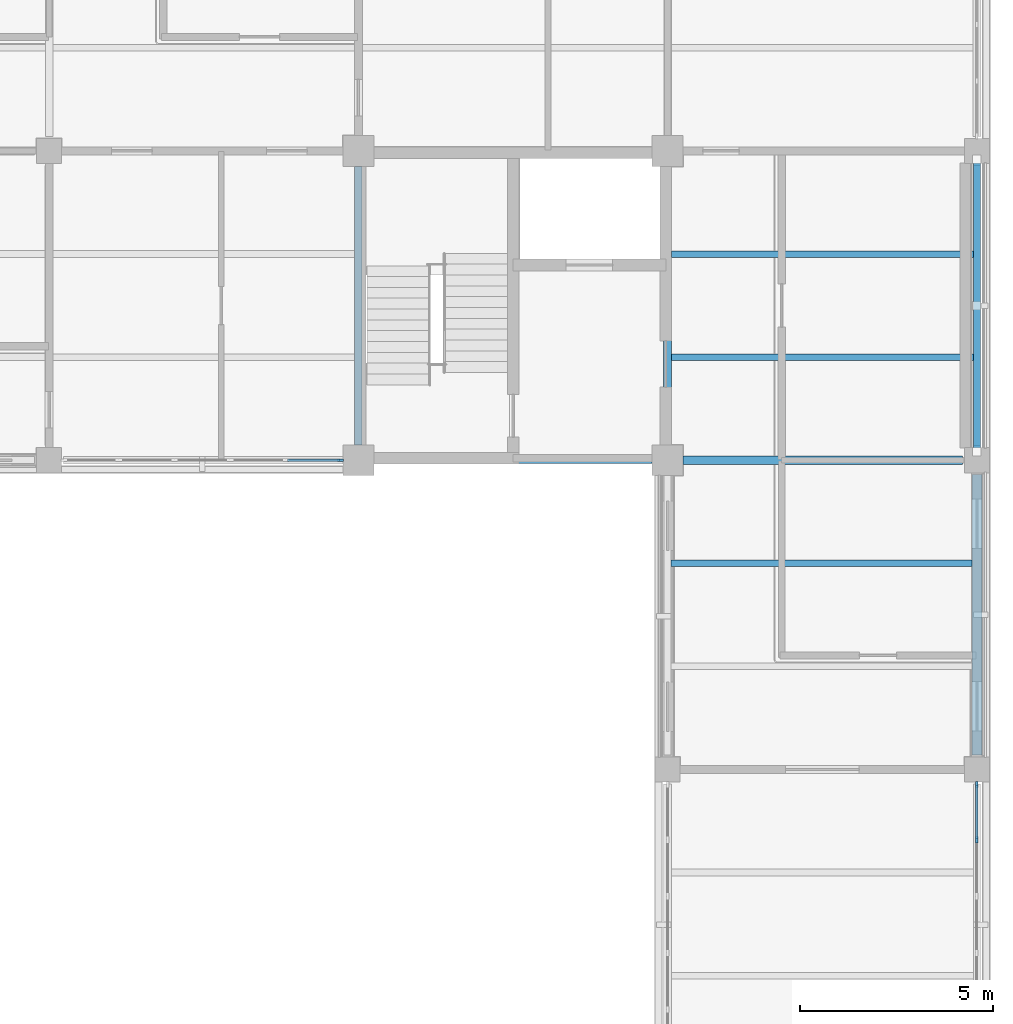
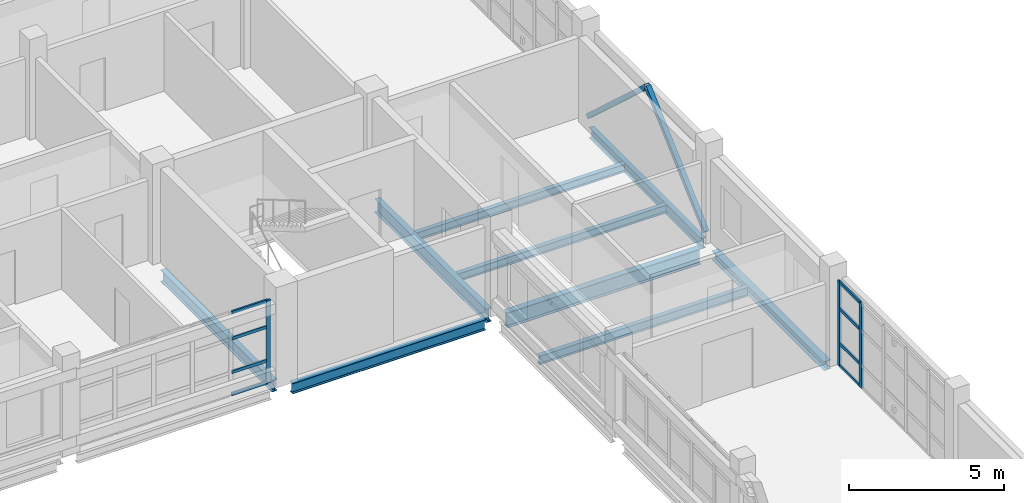
# One storey, part 60 of 126: 13 members, 9 beams, 2 elements without a shape of their own.
"""IFC4 building model written with IfcOpenShell, lengths in metres."""

import ifcopenshell
import ifcopenshell.guid

model = None  # the IFC model being written
_history = None  # IfcOwnerHistory: only IFC2X3 demands one
_inside = {}  # id of a spatial element -> (the spatial element, [elements in it])
_under = {}  # id of a project, library or spatial element -> (it, [spatial elements below it])
_declared = {}  # id of a project -> (the project, [libraries it declares])
_typed = {}  # id of a type object -> (the type object, [elements of that type])
_made_of = {}  # id of a material, layer set ... -> (it, [elements and type objects made of it])


def new_model(schema):
    """Start an empty IFC model of exactly this schema.

    Asked for "IFC4X3", IfcOpenShell would pick the latest addendum, in which some entities
    have other attributes; the version numbers below select the first issue.
    IFC2X3 requires an IfcOwnerHistory on every rooted entity: one is made here for all.
    """
    global model, _history
    if schema == "IFC4X3":
        model = ifcopenshell.file(schema_version=(4, 3, 0, 0))
    else:
        model = ifcopenshell.file(schema=schema)
    _inside.clear()
    _under.clear()
    _declared.clear()
    _typed.clear()
    _made_of.clear()
    _history = None
    if model.schema == "IFC2X3":
        org = make("IfcOrganization", Name="unknown")
        user = make(
            "IfcPersonAndOrganization",
            ThePerson=make("IfcPerson", FamilyName="unknown"),
            TheOrganization=org,
        )
        app = make(
            "IfcApplication",
            ApplicationDeveloper=org,
            Version="unknown",
            ApplicationFullName="unknown",
            ApplicationIdentifier="unknown",
        )
        _history = make(
            "IfcOwnerHistory",
            OwningUser=user,
            OwningApplication=app,
            ChangeAction="ADDED",
            CreationDate=0,
        )
    return model


def make(cls, **values):
    """One entity of the class cls with the attributes given. An attribute that is None is left unset."""
    return model.create_entity(
        cls, **{name: value for name, value in values.items() if value is not None}
    )


def rooted(cls, **values):
    """An entity with a GlobalId (a new one), such as an element, a storey or a relation."""
    return make(cls, GlobalId=ifcopenshell.guid.new(), OwnerHistory=_history, **values)


def si_unit(unit_type, name, prefix=None):
    """IfcSIUnit, for example si_unit("LENGTHUNIT", "METRE", prefix="MILLI")."""
    return make("IfcSIUnit", UnitType=unit_type, Prefix=prefix, Name=name)


def derived_unit(unit_type, elements):
    """IfcDerivedUnit: a product of units, each with its exponent."""
    return make(
        "IfcDerivedUnit",
        Elements=[
            make("IfcDerivedUnitElement", Unit=unit, Exponent=power)
            for unit, power in elements
        ],
        UnitType=unit_type,
    )


def assignment(units):
    """IfcUnitAssignment: the units of a project."""
    return None if units is None else make("IfcUnitAssignment", Units=units)


def point(xyz):
    """IfcCartesianPoint."""
    return None if xyz is None else make("IfcCartesianPoint", Coordinates=xyz)


def direction(xyz):
    """IfcDirection."""
    return None if xyz is None else make("IfcDirection", DirectionRatios=xyz)


def frame(location, z_axis=None, x_axis=None):
    """IfcAxis2Placement3D, a coordinate frame: its origin and axes. An axis left out is left unset."""
    return make(
        "IfcAxis2Placement3D",
        Location=point(location),
        Axis=direction(z_axis),
        RefDirection=direction(x_axis),
    )


def frame_2d(location, x_axis=None):
    """IfcAxis2Placement2D, a coordinate frame in the plane: its origin and x axis."""
    return make(
        "IfcAxis2Placement2D", Location=point(location), RefDirection=direction(x_axis)
    )


def origin():
    """The frame at (0, 0, 0) with its axes left unset."""
    return frame((0.0, 0.0, 0.0))


def origin_2d():
    """The frame at (0, 0) in the plane with its x axis left unset."""
    return frame_2d((0.0, 0.0))


def place(relative_to, where):
    """IfcLocalPlacement: puts the frame where relative to a parent placement (None: the world)."""
    return make(
        "IfcLocalPlacement", PlacementRelTo=relative_to, RelativePlacement=where
    )


def context(
    kind, dimensions, precision=None, world=None, true_north=None, identifier=None
):
    """IfcGeometricRepresentationContext, for example the 3D "Model" context."""
    return make(
        "IfcGeometricRepresentationContext",
        ContextIdentifier=identifier,
        ContextType=kind,
        CoordinateSpaceDimension=dimensions,
        Precision=precision,
        WorldCoordinateSystem=world,
        TrueNorth=true_north,
    )


def subcontext(parent, identifier, kind, view, scale=None):
    """IfcGeometricRepresentationSubContext, for example "Body" below "Model"."""
    return make(
        "IfcGeometricRepresentationSubContext",
        ContextIdentifier=identifier,
        ContextType=kind,
        ParentContext=parent,
        TargetScale=scale,
        TargetView=view,
    )


def project(units=None, contexts=None):
    """IfcProject with its units and contexts."""
    return rooted(
        "IfcProject",
        Name="project",
        RepresentationContexts=contexts,
        UnitsInContext=assignment(units),
    )


def spatial(cls, under=None, at=None, **own):
    """A site, building, storey or space (cls), placed at a placement, below another one or the project."""
    s = rooted(cls, ObjectPlacement=at, **own)
    if under is not None:
        _under.setdefault(under.id(), (under, []))[1].append(s)
    return s


def profile(cls, at=None, kind="AREA", **sizes):
    """A parametric profile (cls). Its sizes go by their IFC names, for example OverallWidth=200.0."""
    return make(cls, ProfileType=kind, Position=at, **sizes)


def rectangle(**sizes):
    """IfcRectangleProfileDef."""
    return profile("IfcRectangleProfileDef", **sizes)


def hollow_rectangle(**sizes):
    """IfcRectangleHollowProfileDef."""
    return profile("IfcRectangleHollowProfileDef", **sizes)


def i_section(**sizes):
    """IfcIShapeProfileDef."""
    return profile("IfcIShapeProfileDef", **sizes)


def extrude(swept, where, along, depth):
    """IfcExtrudedAreaSolid: the profile swept, set in the frame where, extruded along a direction by depth."""
    return make(
        "IfcExtrudedAreaSolid",
        SweptArea=swept,
        Position=where,
        ExtrudedDirection=direction(along),
        Depth=depth,
    )


def shape(context_of_items, identifier, shape_type, items):
    """IfcShapeRepresentation: the items that make up one representation, for example the "Body"."""
    return make(
        "IfcShapeRepresentation",
        ContextOfItems=context_of_items,
        RepresentationIdentifier=identifier,
        RepresentationType=shape_type,
        Items=items,
    )


def material(Name=None, Category=None):
    """IfcMaterial."""
    return make("IfcMaterial", Name=Name, Category=Category)


def layer(
    of_material, thickness, ventilated=None, Name=None, Category=None, Priority=None
):
    """IfcMaterialLayer: one layer of a wall or slab, of a material (None: an air gap)."""
    return make(
        "IfcMaterialLayer",
        Material=of_material,
        LayerThickness=thickness,
        IsVentilated=ventilated,
        Name=Name,
        Category=Category,
        Priority=Priority,
    )


def layer_set(layers, Name=None):
    """IfcMaterialLayerSet."""
    return make("IfcMaterialLayerSet", MaterialLayers=layers, LayerSetName=Name)


def material_profile(
    of_material, cross_section, Name=None, Category=None, Priority=None
):
    """IfcMaterialProfile: a cross section and its material."""
    return make(
        "IfcMaterialProfile",
        Name=Name,
        Material=of_material,
        Profile=cross_section,
        Priority=Priority,
        Category=Category,
    )


def profile_set(profiles, Name=None, composite=None):
    """IfcMaterialProfileSet."""
    return make(
        "IfcMaterialProfileSet",
        Name=Name,
        MaterialProfiles=profiles,
        CompositeProfile=composite,
    )


def made_of(thing, what):
    """Note that an element or type object is made of a material, layer set ...; save() writes the relation."""
    if what is not None:
        _made_of.setdefault(what.id(), (what, []))[1].append(thing)
    return thing


def type_object(cls, material=None, **own):
    """A type object (cls), such as IfcWallType, which elements share."""
    return made_of(rooted(cls, **own), material)


def element(
    cls,
    number,
    at=None,
    inside=None,
    cuts=None,
    type_object=None,
    material=None,
    context=None,
    identifier="Body",
    shape_type=None,
    held_by="IfcProductDefinitionShape",
    body=None,
    shapes=None,
    **own,
):
    """One element of the class cls, such as IfcWall. Its Tag is "e" and its number.

    at: its placement. inside: the storey or other place that contains it. cuts: it is an
    opening in that element (IfcRelVoidsElement). A single representation is given by context,
    identifier, shape_type and body (its items); several are given by shapes. held_by: the class
    of the entity that holds the representations. save() writes the other relations.
    """
    e = rooted(cls, Tag="e%d" % number, ObjectPlacement=at, **own)
    if body is not None:
        shapes = [shape(context, identifier, shape_type, body)]
    if shapes is not None:
        e.Representation = make(held_by, Representations=shapes)
    if inside is not None:
        _inside.setdefault(inside.id(), (inside, []))[1].append(e)
    if cuts is not None:
        rooted(
            "IfcRelVoidsElement", RelatingBuildingElement=cuts, RelatedOpeningElement=e
        )
    if type_object is not None:
        _typed.setdefault(type_object.id(), (type_object, []))[1].append(e)
    return made_of(e, material)


def aggregate(whole, parts):
    """IfcRelAggregates: a whole, such as a stair, and the parts it consists of."""
    return rooted("IfcRelAggregates", RelatingObject=whole, RelatedObjects=parts)


def save(model, path):
    """Write the relations noted so far, then the file.

    IfcRelAggregates (storeys below a building ...), IfcRelContainedInSpatialStructure (elements
    in a storey), IfcRelDefinesByType, IfcRelAssociatesMaterial and IfcRelDeclares: one each for
    every whole, place, type object, material and project.
    """
    for whole, parts in _under.values():
        aggregate(whole, parts)
    for where, things in _inside.values():
        rooted(
            "IfcRelContainedInSpatialStructure",
            RelatedElements=things,
            RelatingStructure=where,
        )
    for kind, things in _typed.values():
        rooted("IfcRelDefinesByType", RelatedObjects=things, RelatingType=kind)
    for what, things in _made_of.values():
        rooted("IfcRelAssociatesMaterial", RelatedObjects=things, RelatingMaterial=what)
    for by, libraries in _declared.values():
        rooted("IfcRelDeclares", RelatingContext=by, RelatedDefinitions=libraries)
    model.write(path)


model = new_model("IFC4")

# Units and contexts
model_context = context("Model", 3, precision=1e-05, world=origin(), true_north=direction((0.0, 1.0)))
body_context = subcontext(model_context, "Body", "Model", "MODEL_VIEW")
ifc_project = project(units=[si_unit("LENGTHUNIT", "METRE"), si_unit("AREAUNIT", "SQUARE_METRE"), si_unit("VOLUMEUNIT", "CUBIC_METRE"), si_unit("PLANEANGLEUNIT", "RADIAN"), si_unit("MASSUNIT", "GRAM", prefix="KILO"), derived_unit("THERMALTRANSMITTANCEUNIT", [(si_unit("MASSUNIT", "GRAM", prefix="KILO"), 1), (si_unit("TIMEUNIT", "SECOND"), -3), (si_unit("THERMODYNAMICTEMPERATUREUNIT", "KELVIN"), -1)])], contexts=[model_context])

# Site, building, storey
site_placement = place(None, origin())
site = spatial("IfcSite", under=ifc_project, at=site_placement, CompositionType="ELEMENT")
building_placement = place(site_placement, origin())
building = spatial("IfcBuilding", under=site, at=building_placement, Name="Veyamyaing Civic Hall", CompositionType="ELEMENT")
storey_placement = place(building_placement, frame((0.0, 0.0, 9.89990234375)))
storey = spatial("IfcBuildingStorey", under=building, at=storey_placement, Name="L02", CompositionType="ELEMENT", Elevation=9.89990234375)

# Beams
ifc_material_1 = material(Name="Steel ASTM A992", Category="steel")
ifc_material_profile_1 = material_profile(ifc_material_1, i_section(OverallWidth=0.22802734375, OverallDepth=0.60791015625, WebThickness=0.01123046875, FlangeThickness=0.017333984375, FilletRadius=0.012939453125, at=origin_2d()), Name="W610X113")
ifc_profile_set_1 = profile_set([ifc_material_profile_1], Name="Steel ASTM A992")
beam_type_1 = type_object("IfcBeamType", Name="B-06", PredefinedType="BEAM", material=ifc_profile_set_1)
beam_1_placement = place(storey_placement, frame((168.39990234375, 88.0, -0.5888671875), z_axis=(1.0, 0.0, 0.0), x_axis=(0.0, 1.0, 0.0)))
element("IfcBeam", 1, at=beam_1_placement, inside=storey, type_object=beam_type_1, Name="Girder B-06 L02 Grid M 22-23", PredefinedType="BEAM", context=body_context, shape_type="SweptSolid", body=[
    extrude(i_section(OverallWidth=0.22802734375, OverallDepth=0.60791015625, WebThickness=0.01123046875, FlangeThickness=0.017333984375, FilletRadius=0.012939453125, at=origin_2d()), origin(), (0.0, 0.0, 1.0), 7.22509765625),
])
ifc_material_profile_2 = material_profile(ifc_material_1, i_section(OverallWidth=0.208984375, OverallDepth=0.532958984375, WebThickness=0.01025390625, FlangeThickness=0.015625, FilletRadius=0.011962890625, at=origin_2d()), Name="W530X92")
ifc_profile_set_2 = profile_set([ifc_material_profile_2], Name="Steel ASTM A992")
beam_type_2 = type_object("IfcBeamType", Name="B-07", PredefinedType="BEAM", material=ifc_profile_set_2)
beam_2_placement = place(storey_placement, frame((168.0, 88.39990234375, -0.551513671875), z_axis=(0.0, 1.0, 0.0), x_axis=(-1.0, 0.0, 0.0)))
element("IfcBeam", 2, at=beam_2_placement, inside=storey, type_object=beam_type_2, Name="Girder B-07 L02 Grid 22 M-N", PredefinedType="BEAM", context=body_context, shape_type="SweptSolid", body=[
    extrude(i_section(OverallWidth=0.208984375, OverallDepth=0.532958984375, WebThickness=0.01025390625, FlangeThickness=0.015625, FilletRadius=0.011962890625, at=origin_2d()), origin(), (0.0, 0.0, 1.0), 7.2001953125),
])
ifc_material_profile_3 = material_profile(ifc_material_1, i_section(OverallWidth=0.179931640625, OverallDepth=0.4130859375, WebThickness=0.009765625, FlangeThickness=0.01611328125, FilletRadius=0.010009765625, at=origin_2d()), Name="W410X74")
ifc_profile_set_3 = profile_set([ifc_material_profile_3], Name="Steel ASTM A992")
beam_type_3 = type_object("IfcBeamType", Name="B-10", PredefinedType="SPANDREL", material=ifc_profile_set_3)
beam_3_placement = place(storey_placement, frame((176.0, 88.375, -0.491455078125), z_axis=(0.0, 1.0, 0.0), x_axis=(-1.0, 0.0, 0.0)))
element("IfcBeam", 3, at=beam_3_placement, inside=storey, type_object=beam_type_3, Name="Girder B-10 L02 Grid 23 M-N", PredefinedType="SPANDREL", context=body_context, shape_type="SweptSolid", body=[
    extrude(i_section(OverallWidth=0.179931640625, OverallDepth=0.4130859375, WebThickness=0.009765625, FlangeThickness=0.01611328125, FilletRadius=0.010009765625, at=origin_2d()), origin(), (0.0, 0.0, 1.0), 7.25),
])
ifc_material_profile_4 = material_profile(ifc_material_1, i_section(OverallWidth=0.194091796875, OverallDepth=0.468994140625, WebThickness=0.0126953125, FlangeThickness=0.0205078125, FilletRadius=0.010009765625, at=origin_2d()), Name="W460X106")
ifc_profile_set_4 = profile_set([ifc_material_profile_4], Name="Steel ASTM A992")
beam_type_4 = type_object("IfcBeamType", Name="B-18", PredefinedType="BEAM", material=ifc_profile_set_4)
beam_4_placement = place(storey_placement, frame((160.0, 88.39990234375, -0.519287109375), z_axis=(0.0, 1.0, 0.0), x_axis=(-1.0, 0.0, 0.0)))
element("IfcBeam", 4, at=beam_4_placement, inside=storey, type_object=beam_type_4, Name="Girder B-18 L02 Grid 21 M-N", PredefinedType="BEAM", context=body_context, shape_type="SweptSolid", body=[
    extrude(i_section(OverallWidth=0.194091796875, OverallDepth=0.468994140625, WebThickness=0.0126953125, FlangeThickness=0.0205078125, FilletRadius=0.010009765625, at=origin_2d()), origin(), (0.0, 0.0, 1.0), 7.2001953125),
])
ifc_material_profile_5 = material_profile(ifc_material_1, i_section(OverallWidth=0.180908203125, OverallDepth=0.4169921875, WebThickness=0.010986328125, FlangeThickness=0.018310546875, FilletRadius=0.010009765625, at=origin_2d()), Name="W410X85")
ifc_profile_set_5 = profile_set([ifc_material_profile_5], Name="Steel ASTM A992")
beam_type_5 = type_object("IfcBeamType", Name="B-19", PredefinedType="SPANDREL", material=ifc_profile_set_5)
beam_5_placement = place(storey_placement, frame((160.39990234375, 88.0, -0.493408203125), z_axis=(1.0, 0.0, 0.0), x_axis=(0.0, 1.0, 0.0)))
element("IfcBeam", 5, at=beam_5_placement, inside=storey, type_object=beam_type_5, Name="Girder B-19 L02 Grid M 21-22", PredefinedType="SPANDREL", context=body_context, shape_type="SweptSolid", body=[
    extrude(i_section(OverallWidth=0.180908203125, OverallDepth=0.4169921875, WebThickness=0.010986328125, FlangeThickness=0.018310546875, FilletRadius=0.010009765625, at=origin_2d()), origin(), (0.0, 0.0, 1.0), 7.2001953125),
])
ifc_material_profile_6 = material_profile(ifc_material_1, i_section(OverallWidth=0.25390625, OverallDepth=0.35302734375, WebThickness=0.009521484375, FlangeThickness=0.016357421875, FilletRadius=0.011962890625, at=origin_2d()), Name="W360X91")
ifc_profile_set_6 = profile_set([ifc_material_profile_6], Name="Steel ASTM A992")
beam_type_6 = type_object("IfcBeamType", Name="B-20", PredefinedType="SPANDREL", material=ifc_profile_set_6)
beam_6_placement = place(storey_placement, frame((176.0, 80.375, -0.46142578125), z_axis=(0.0, 1.0, 0.0), x_axis=(-1.0, 0.0, 0.0)))
element("IfcBeam", 6, at=beam_6_placement, inside=storey, type_object=beam_type_6, Name="Girder B-20 L02 Grid 23 L-M", PredefinedType="SPANDREL", context=body_context, shape_type="SweptSolid", body=[
    extrude(i_section(OverallWidth=0.25390625, OverallDepth=0.35302734375, WebThickness=0.009521484375, FlangeThickness=0.016357421875, FilletRadius=0.011962890625, at=origin_2d()), origin(), (0.0, 0.0, 1.0), 7.25),
])

# Members
ifc_material_2 = material(Name="Steel S355J2", Category="steel")
ifc_material_profile_7 = material_profile(ifc_material_2, hollow_rectangle(XDim=0.177978515625, YDim=0.177978515625, WallThickness=0.009521484375, at=origin_2d()), Name="HSS178X178X9.5")
ifc_profile_set_7 = profile_set([ifc_material_profile_7], Name="Steel S355J2")
member_type_1 = type_object("IfcMemberType", Name="BR-04", PredefinedType="BRACE", material=ifc_profile_set_7)
for number, where, z_axis, x_axis, name in (
    (7, (176.0, 88.219970703125, 0.050048828125), (0.0, 0.737646368513, 0.675187259224), (-1.0, 0.0, 0.0), "Seismic chevron brace BR-04 BF-NE L02.L"),
    (8, (176.0, 95.780029296875, 0.050048828125), (0.0, -0.737646368513, 0.675187259224), (1.0, 0.0, 0.0), "Seismic chevron brace BR-04 BF-NE L02.R"),
):
    element("IfcMember", number, at=place(storey_placement, frame(where, z_axis=z_axis, x_axis=x_axis)), inside=storey, type_object=member_type_1, Name=name, PredefinedType="BRACE", context=body_context, shape_type="SweptSolid", body=[
        extrude(hollow_rectangle(XDim=0.177978515625, YDim=0.177978515625, WallThickness=0.009521484375, at=origin_2d()), origin(), (0.0, 0.0, 1.0), 5.12451171875),
    ])

# Curtain wall, member
ifc_material_3 = material(Name="Anodised aluminium 6063-T6", Category="aluminium")
ifc_layer = layer(ifc_material_3, 0.159912109375, Name="Anodised aluminium 6063-T6")
ifc_layer_set = layer_set([ifc_layer], Name="Anodised aluminium 6063-T6")
curtain_wall_type = type_object("IfcCurtainWallType", Name="CW-03", PredefinedType="NOTDEFINED", material=ifc_layer_set)
curtain_wall_1_placement = place(storey_placement, origin())
curtain_wall_1 = element("IfcCurtainWall", 9, at=curtain_wall_1_placement, inside=storey, type_object=curtain_wall_type, Name="Unitized curtain wall CW-03 L02 S 20.12", PredefinedType="NOTDEFINED")
ifc_material_profile_8 = material_profile(ifc_material_3, rectangle(XDim=0.06494140625, YDim=0.159912109375, at=origin_2d()), Name="ALU-MUL-65X160")
ifc_profile_set_8 = profile_set([ifc_material_profile_8], Name="Anodised aluminium 6063-T6")
member_type_2 = type_object("IfcMemberType", Name="CWM-01", PredefinedType="MULLION", material=ifc_profile_set_8)
member_1_placement = place(storey_placement, frame((159.53759765625, 88.0, 0.0), z_axis=(0.0, 0.0, 1.0), x_axis=(0.0, 1.0, 0.0)))
member_1 = element("IfcMember", 10, at=member_1_placement, type_object=member_type_2, Name="CW-03 mullion 6", PredefinedType="MULLION", context=body_context, shape_type="SweptSolid", body=[
    extrude(rectangle(XDim=0.06494140625, YDim=0.159912109375, at=origin_2d()), origin(), (0.0, 0.0, 1.0), 3.280029296875),
])

# Curtain wall, members
curtain_wall_2_placement = place(storey_placement, origin())
curtain_wall_2 = element("IfcCurtainWall", 11, at=curtain_wall_2_placement, inside=storey, type_object=curtain_wall_type, Name="Unitized curtain wall CW-03 L02 E 22.10", PredefinedType="NOTDEFINED")
member_2_placement = place(storey_placement, frame((176.0, 78.181884765625, 0.0), z_axis=(0.0, 0.0, 1.0), x_axis=(-1.0, 0.0, 0.0)))
member_2 = element("IfcMember", 12, at=member_2_placement, type_object=member_type_2, Name="CW-03 mullion 5", PredefinedType="MULLION", context=body_context, shape_type="SweptSolid", body=[
    extrude(rectangle(XDim=0.06494140625, YDim=0.159912109375, at=origin_2d()), origin(), (0.0, 0.0, 1.0), 3.343994140625),
])
member_3_placement = place(storey_placement, frame((176.0, 79.612548828125, 0.0), z_axis=(0.0, 0.0, 1.0), x_axis=(-1.0, 0.0, 0.0)))
member_3 = element("IfcMember", 13, at=member_3_placement, type_object=member_type_2, Name="CW-03 mullion 6", PredefinedType="MULLION", context=body_context, shape_type="SweptSolid", body=[
    extrude(rectangle(XDim=0.06494140625, YDim=0.159912109375, at=origin_2d()), origin(), (0.0, 0.0, 1.0), 3.343994140625),
])

# Member
ifc_material_profile_9 = material_profile(ifc_material_3, rectangle(XDim=0.06494140625, YDim=0.1201171875, at=origin_2d()), Name="ALU-TRN-65X120")
ifc_profile_set_9 = profile_set([ifc_material_profile_9], Name="Anodised aluminium 6063-T6")
member_type_3 = type_object("IfcMemberType", Name="CWT-01", PredefinedType="USERDEFINED", material=ifc_profile_set_9)
member_4_placement = place(storey_placement, frame((158.159423828125, 88.0, 0.03271484375), z_axis=(1.0, 0.0, 0.0), x_axis=(0.0, 1.0, 0.0)))
member_4 = element("IfcMember", 14, at=member_4_placement, type_object=member_type_3, Name="CW-03 transom 5.1", ObjectType="TRANSOM", PredefinedType="USERDEFINED", context=body_context, shape_type="SweptSolid", body=[
    extrude(rectangle(XDim=0.06494140625, YDim=0.1201171875, at=origin_2d()), origin(), (0.0, 0.0, 1.0), 1.345458984375),
])

member_5_placement = place(storey_placement, frame((158.159423828125, 88.0, 0.900146484375), z_axis=(1.0, 0.0, 0.0), x_axis=(0.0, 1.0, 0.0)))
member_5 = element("IfcMember", 15, at=member_5_placement, type_object=member_type_3, Name="CW-03 transom 5.2", ObjectType="TRANSOM", PredefinedType="USERDEFINED", context=body_context, shape_type="SweptSolid", body=[
    extrude(rectangle(XDim=0.06494140625, YDim=0.1201171875, at=origin_2d()), origin(), (0.0, 0.0, 1.0), 1.345458984375),
])

member_6_placement = place(storey_placement, frame((158.159423828125, 88.0, 2.23046875), z_axis=(1.0, 0.0, 0.0), x_axis=(0.0, 1.0, 0.0)))
member_6 = element("IfcMember", 16, at=member_6_placement, type_object=member_type_3, Name="CW-03 transom 5.3", ObjectType="TRANSOM", PredefinedType="USERDEFINED", context=body_context, shape_type="SweptSolid", body=[
    extrude(rectangle(XDim=0.06494140625, YDim=0.1201171875, at=origin_2d()), origin(), (0.0, 0.0, 1.0), 1.345458984375),
])

member_7_placement = place(storey_placement, frame((158.159423828125, 88.0, 3.24755859375), z_axis=(1.0, 0.0, 0.0), x_axis=(0.0, 1.0, 0.0)))
member_7 = element("IfcMember", 17, at=member_7_placement, type_object=member_type_3, Name="CW-03 transom 5.4", ObjectType="TRANSOM", PredefinedType="USERDEFINED", context=body_context, shape_type="SweptSolid", body=[
    extrude(rectangle(XDim=0.06494140625, YDim=0.1201171875, at=origin_2d()), origin(), (0.0, 0.0, 1.0), 1.345458984375),
])

aggregate(curtain_wall_1, [member_1, member_4, member_5, member_6, member_7])

member_8_placement = place(storey_placement, frame((176.0, 78.214599609375, 0.03271484375), z_axis=(0.0, 1.0, 0.0), x_axis=(-1.0, 0.0, 0.0)))
member_8 = element("IfcMember", 18, at=member_8_placement, type_object=member_type_3, Name="CW-03 transom 5.1", ObjectType="TRANSOM", PredefinedType="USERDEFINED", context=body_context, shape_type="SweptSolid", body=[
    extrude(rectangle(XDim=0.06494140625, YDim=0.1201171875, at=origin_2d()), origin(), (0.0, 0.0, 1.0), 1.365478515625),
])

member_9_placement = place(storey_placement, frame((176.0, 78.214599609375, 0.900146484375), z_axis=(0.0, 1.0, 0.0), x_axis=(-1.0, 0.0, 0.0)))
member_9 = element("IfcMember", 19, at=member_9_placement, type_object=member_type_3, Name="CW-03 transom 5.2", ObjectType="TRANSOM", PredefinedType="USERDEFINED", context=body_context, shape_type="SweptSolid", body=[
    extrude(rectangle(XDim=0.06494140625, YDim=0.1201171875, at=origin_2d()), origin(), (0.0, 0.0, 1.0), 1.365478515625),
])

member_10_placement = place(storey_placement, frame((176.0, 78.214599609375, 2.27392578125), z_axis=(0.0, 1.0, 0.0), x_axis=(-1.0, 0.0, 0.0)))
member_10 = element("IfcMember", 20, at=member_10_placement, type_object=member_type_3, Name="CW-03 transom 5.3", ObjectType="TRANSOM", PredefinedType="USERDEFINED", context=body_context, shape_type="SweptSolid", body=[
    extrude(rectangle(XDim=0.06494140625, YDim=0.1201171875, at=origin_2d()), origin(), (0.0, 0.0, 1.0), 1.365478515625),
])

member_11_placement = place(storey_placement, frame((176.0, 78.214599609375, 3.3115234375), z_axis=(0.0, 1.0, 0.0), x_axis=(-1.0, 0.0, 0.0)))
member_11 = element("IfcMember", 21, at=member_11_placement, type_object=member_type_3, Name="CW-03 transom 5.4", ObjectType="TRANSOM", PredefinedType="USERDEFINED", context=body_context, shape_type="SweptSolid", body=[
    extrude(rectangle(XDim=0.06494140625, YDim=0.1201171875, at=origin_2d()), origin(), (0.0, 0.0, 1.0), 1.365478515625),
])

aggregate(curtain_wall_2, [member_2, member_3, member_8, member_9, member_10, member_11])

# Beams
ifc_material_profile_10 = material_profile(ifc_material_1, i_section(OverallWidth=0.1708984375, OverallDepth=0.35205078125, WebThickness=0.0068359375, FlangeThickness=0.009765625, FilletRadius=0.010009765625, at=origin_2d()), Name="W360X44")
ifc_profile_set_10 = profile_set([ifc_material_profile_10], Name="Steel ASTM A992")
beam_type_7 = type_object("IfcBeamType", Name="J-03", PredefinedType="JOIST", material=ifc_profile_set_10)
beam_7_placement = place(storey_placement, frame((168.08837890625, 85.333251953125, -0.4609375), z_axis=(1.0, 0.0, 0.0), x_axis=(0.0, 1.0, 0.0)))
element("IfcBeam", 22, at=beam_7_placement, inside=storey, type_object=beam_type_7, Name="Composite floor joist J-03 L02 22.11.2", PredefinedType="JOIST", context=body_context, shape_type="SweptSolid", body=[
    extrude(i_section(OverallWidth=0.1708984375, OverallDepth=0.35205078125, WebThickness=0.0068359375, FlangeThickness=0.009765625, FilletRadius=0.010009765625, at=origin_2d()), origin(), (0.0, 0.0, 1.0), 7.78662109375),
])
ifc_material_profile_11 = material_profile(ifc_material_1, i_section(OverallWidth=0.1669921875, OverallDepth=0.318115234375, WebThickness=0.007568359375, FlangeThickness=0.01318359375, FilletRadius=0.010009765625, at=origin_2d()), Name="W310X52")
ifc_profile_set_11 = profile_set([ifc_material_profile_11], Name="Steel ASTM A992")
beam_type_8 = type_object("IfcBeamType", Name="J-04", PredefinedType="JOIST", material=ifc_profile_set_11)
for number, where, z_axis, x_axis, name in (
    (23, (168.1025390625, 90.666748046875, -0.44384765625), (1.0, 0.0, 0.0), (0.0, 1.0, 0.0), "Composite floor joist J-04 L02 22.12.1"),
    (24, (168.1025390625, 93.333251953125, -0.44384765625), (1.0, 0.0, 0.0), (0.0, 1.0, 0.0), "Composite floor joist J-04 L02 22.12.2"),
):
    element("IfcBeam", number, at=place(storey_placement, frame(where, z_axis=z_axis, x_axis=x_axis)), inside=storey, type_object=beam_type_8, Name=name, PredefinedType="JOIST", context=body_context, shape_type="SweptSolid", body=[
        extrude(i_section(OverallWidth=0.1669921875, OverallDepth=0.318115234375, WebThickness=0.007568359375, FlangeThickness=0.01318359375, FilletRadius=0.010009765625, at=origin_2d()), origin(), (0.0, 0.0, 1.0), 7.8095703125),
    ])

save(model, "model.ifc")
